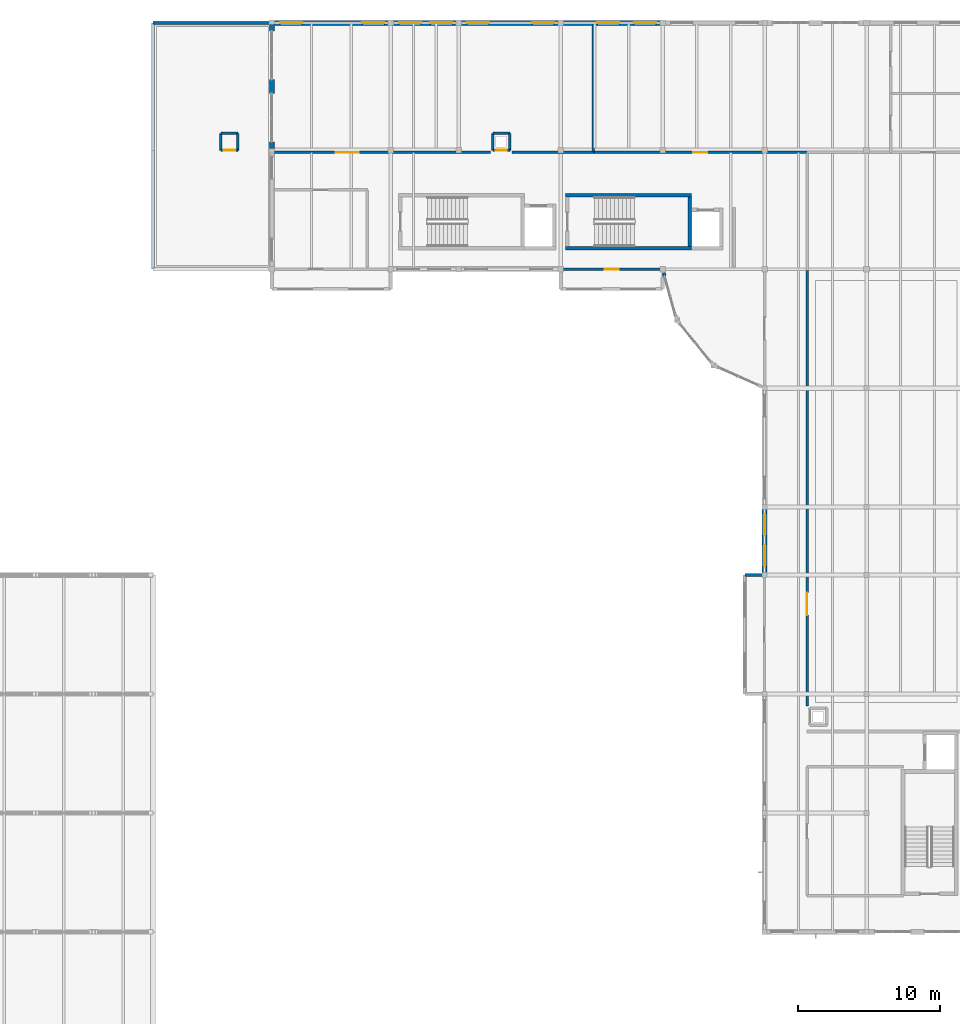
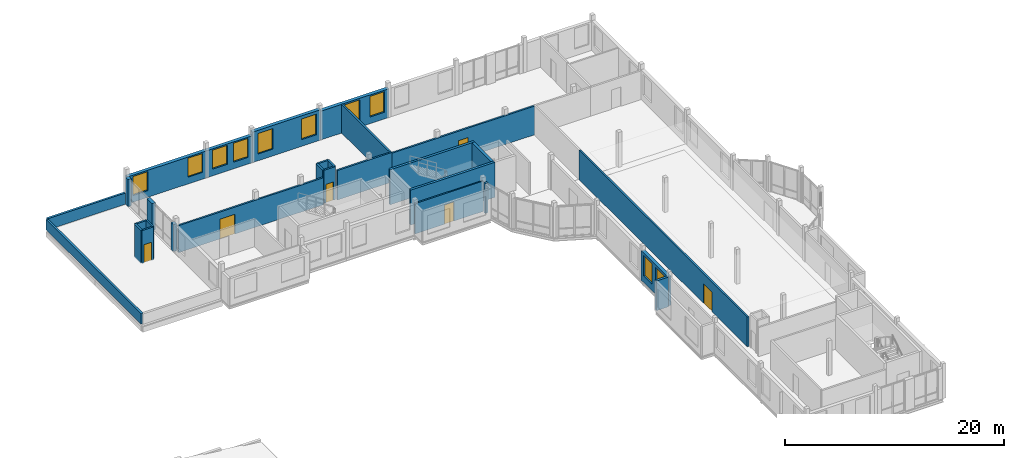
# One storey, part 28 of 34: 29 walls, 10 windows, 6 doors, 16 openings.
"""IFC4 building model written with IfcOpenShell, lengths in metres."""

from ifc_helpers import new_model, si_unit, direction, frame, frame_2d, origin, place, context, subcontext, project, spatial, rectangle, extrude, material, layer, layer_set, type_object, element, fill, save


model = new_model("IFC4")

# Units and contexts
model_context = context("Model", 3, precision=1e-05, world=origin(), true_north=direction((0.0, 1.0)))
body_context = subcontext(model_context, "Body", "Model", "MODEL_VIEW")
ifc_project = project(units=[si_unit("LENGTHUNIT", "METRE"), si_unit("AREAUNIT", "SQUARE_METRE"), si_unit("VOLUMEUNIT", "CUBIC_METRE"), si_unit("PLANEANGLEUNIT", "RADIAN"), si_unit("MASSUNIT", "GRAM", prefix="KILO")], contexts=[model_context])

# Site, building, storey
site_placement = place(None, origin())
site = spatial("IfcSite", under=ifc_project, at=site_placement, CompositionType="ELEMENT")
building_placement = place(site_placement, origin())
building = spatial("IfcBuilding", under=site, at=building_placement, Name="Kahlenmark Community Centre", CompositionType="ELEMENT")
storey_placement = place(building_placement, frame((0.0, 0.0, 17.699951171875)))
storey = spatial("IfcBuildingStorey", under=building, at=storey_placement, Name="L04", CompositionType="ELEMENT", Elevation=17.699951171875)

# Walls
ifc_material_1 = material(Name="Concrete C35/45", Category="concrete")
ifc_layer_1 = layer(ifc_material_1, 0.25)
ifc_layer_set_1 = layer_set([ifc_layer_1], Name="Concrete C35/45")
wall_type_1 = type_object("IfcWallType", Name="WT-CORE-250", PredefinedType="SHEAR", material=ifc_layer_set_1)
for number, where, z_axis, x_axis, name in (
    (1, (58.35009765625, 99.074951171875, 0.0), (0.0, 0.0, 1.0), (1.0, 0.0, 0.0), "Core K5 shear wall WL-CORE-K5-L04-0184"),
    (2, (58.35009765625, 102.824951171875, 0.0), (0.0, 0.0, 1.0), (1.0, 0.0, 0.0), "Core K5 shear wall WL-CORE-K5-L04-0185"),
):
    element("IfcWall", number, at=place(storey_placement, frame(where, z_axis=z_axis, x_axis=x_axis)), inside=storey, type_object=wall_type_1, Name=name, PredefinedType="SHEAR", context=body_context, shape_type="SweptSolid", body=[
        extrude(rectangle(XDim=8.89990234375, YDim=0.25, at=frame_2d((4.449951171875, 0.0))), origin(), (0.0, 0.0, 1.0), 3.900146484375),
    ])
wall_1_placement = place(storey_placement, frame((67.125, 99.199951171875, 0.0), z_axis=(0.0, 0.0, 1.0), x_axis=(0.0, 1.0, 0.0)))
element("IfcWall", 3, at=wall_1_placement, inside=storey, type_object=wall_type_1, Name="Core K5 shear wall WL-CORE-K5-L04-0186", PredefinedType="SHEAR", context=body_context, shape_type="SweptSolid", body=[
    extrude(rectangle(XDim=3.5, YDim=0.25, at=frame_2d((1.75, 0.0))), origin(), (0.0, 0.0, 1.0), 3.900146484375),
])
ifc_material_2 = material(Name="Cross-laminated timber CLT C24", Category="wood")
ifc_layer_2 = layer(ifc_material_2, 0.239990234375)
ifc_layer_set_2 = layer_set([ifc_layer_2], Name="Cross-laminated timber CLT C24")
wall_type_2 = type_object("IfcWallType", Name="WT-EW-240", PredefinedType="SOLIDWALL", material=ifc_layer_set_2)
wall_2_placement = place(storey_placement, frame((65.27490234375, 97.330078125, 0.0), z_axis=(0.0, 0.0, 1.0), x_axis=(0.267529355044, -0.963549710285, 0.0)))
element("IfcWall", 4, at=wall_2_placement, inside=storey, type_object=wall_type_2, Name="Rotunda pier closure 0792", PredefinedType="SOLIDWALL", context=body_context, shape_type="SweptSolid", body=[
    extrude(rectangle(XDim=0.219970703125, YDim=0.239990234375, at=frame_2d((0.10986328125, 0.0))), origin(), (0.0, 0.0, 1.0), 3.39013671875),
])
wall_3_placement = place(storey_placement, frame((71.0, 76.0, 0.0), z_axis=(0.0, 0.0, 1.0), x_axis=(1.0, 0.0, 0.0)))
element("IfcWall", 5, at=wall_3_placement, inside=storey, type_object=wall_type_2, Name="Bay oriel wall WL-ORI-L04-0855", PredefinedType="SOLIDWALL", context=body_context, shape_type="SweptSolid", body=[
    extrude(rectangle(XDim=1.25, YDim=0.239990234375, at=frame_2d((0.625, 0.0))), origin(), (0.0, 0.0, 1.0), 3.320068359375),
])

# Wall, openings, windows
ifc_material_3 = material(Name="Danube limestone masonry", Category="masonry")
ifc_layer_3 = layer(ifc_material_3, 0.360107421875)
ifc_layer_set_3 = layer_set([ifc_layer_3], Name="Danube limestone masonry")
wall_type_3 = type_object("IfcWallType", Name="WT-EW-360", PredefinedType="SOLIDWALL", material=ifc_layer_set_3)
wall_4_placement = place(storey_placement, frame((46.0, 115.0, 0.0), z_axis=(0.0, 0.0, 1.0), x_axis=(-1.0, 0.0, 0.0)))
wall_4 = element("IfcWall", 6, at=wall_4_placement, inside=storey, type_object=wall_type_3, Name="Exterior wall WL-EXT-L04-0641", PredefinedType="SOLIDWALL", context=body_context, shape_type="SweptSolid", body=[
    extrude(rectangle(XDim=8.39990234375, YDim=0.360107421875, at=frame_2d((4.199951171875, 0.0))), origin(), (0.0, 0.0, 1.0), 3.010009765625),
])
opening_1_placement = place(wall_4_placement, frame((0.4599609375, 0.0, 0.75)))
opening_1 = element("IfcOpeningElement", 7, at=opening_1_placement, cuts=wall_4, Name="Opening W-155X212", PredefinedType="OPENING", context=body_context, shape_type="SweptSolid", body=[
    extrude(rectangle(XDim=1.550048828125, YDim=2.1201171875, at=frame_2d((0.77490234375, 1.06005859375))), frame((0.0, 0.18994140625, 0.0), z_axis=(0.0, -1.0, 0.0), x_axis=(1.0, 0.0, 0.0)), (0.0, 0.0, 1.0), 0.380126953125),
])
opening_2_placement = place(wall_4_placement, frame((6.260009765625, 0.0, 0.75)))
opening_2 = element("IfcOpeningElement", 8, at=opening_2_placement, cuts=wall_4, Name="Opening W-155X212", PredefinedType="OPENING", context=body_context, shape_type="SweptSolid", body=[
    extrude(rectangle(XDim=1.550048828125, YDim=2.1201171875, at=frame_2d((0.77490234375, 1.06005859375))), frame((0.0, 0.18994140625, 0.0), z_axis=(0.0, -1.0, 0.0), x_axis=(1.0, 0.0, 0.0)), (0.0, 0.0, 1.0), 0.380126953125),
])
ifc_material_4 = material(Name="Deep-reveal limestone punched triple glazing", Category="masonry")
window_type_1 = type_object("IfcWindowType", Name="WNT-155X212", PartitioningType="DOUBLE_PANEL_HORIZONTAL", PredefinedType="WINDOW", material=ifc_material_4)
window_1_placement = place(opening_1_placement, origin())
window_1 = element("IfcWindow", 9, at=window_1_placement, inside=storey, type_object=window_type_1, Name="Window W-155X212 #0413", OverallHeight=2.1201171875, OverallWidth=1.550048828125, PartitioningType="DOUBLE_PANEL_HORIZONTAL", PredefinedType="WINDOW", context=body_context, shape_type="SweptSolid", body=[
    extrude(rectangle(XDim=1.550048828125, YDim=2.1201171875, at=frame_2d((0.77490234375, 1.06005859375))), frame((0.0, 0.030029296875, 0.0), z_axis=(0.0, -1.0, 0.0), x_axis=(1.0, 0.0, 0.0)), (0.0, 0.0, 1.0), 0.06005859375),
])
fill(opening_1, window_1)
window_2_placement = place(opening_2_placement, origin())
window_2 = element("IfcWindow", 10, at=window_2_placement, inside=storey, type_object=window_type_1, Name="Window W-155X212 #0414", OverallHeight=2.1201171875, OverallWidth=1.550048828125, PartitioningType="DOUBLE_PANEL_HORIZONTAL", PredefinedType="WINDOW", context=body_context, shape_type="SweptSolid", body=[
    extrude(rectangle(XDim=1.550048828125, YDim=2.1201171875, at=frame_2d((0.77490234375, 1.06005859375))), frame((0.0, 0.030029296875, 0.0), z_axis=(0.0, -1.0, 0.0), x_axis=(1.0, 0.0, 0.0)), (0.0, 0.0, 1.0), 0.06005859375),
])
fill(opening_2, window_2)

wall_5_placement = place(storey_placement, frame((50.800048828125, 115.0, 0.0), z_axis=(0.0, 0.0, 1.0), x_axis=(-1.0, 0.0, 0.0)))
wall_5 = element("IfcWall", 11, at=wall_5_placement, inside=storey, type_object=wall_type_3, Name="Exterior wall WL-EXT-L04-0642", PredefinedType="SOLIDWALL", context=body_context, shape_type="SweptSolid", body=[
    extrude(rectangle(XDim=4.800048828125, YDim=0.360107421875, at=frame_2d((2.39990234375, 0.0))), origin(), (0.0, 0.0, 1.0), 3.010009765625),
])
opening_3_placement = place(wall_5_placement, frame((0.4599609375, 0.0, 0.75)))
opening_3 = element("IfcOpeningElement", 12, at=opening_3_placement, cuts=wall_5, Name="Opening W-155X212", PredefinedType="OPENING", context=body_context, shape_type="SweptSolid", body=[
    extrude(rectangle(XDim=1.550048828125, YDim=2.1201171875, at=frame_2d((0.77490234375, 1.06005859375))), frame((0.0, 0.18994140625, 0.0), z_axis=(0.0, -1.0, 0.0), x_axis=(1.0, 0.0, 0.0)), (0.0, 0.0, 1.0), 0.380126953125),
])
opening_4_placement = place(wall_5_placement, frame((2.659912109375, 0.0, 0.75)))
opening_4 = element("IfcOpeningElement", 13, at=opening_4_placement, cuts=wall_5, Name="Opening W-155X212", PredefinedType="OPENING", context=body_context, shape_type="SweptSolid", body=[
    extrude(rectangle(XDim=1.550048828125, YDim=2.1201171875, at=frame_2d((0.77490234375, 1.06005859375))), frame((0.0, 0.18994140625, 0.0), z_axis=(0.0, -1.0, 0.0), x_axis=(1.0, 0.0, 0.0)), (0.0, 0.0, 1.0), 0.380126953125),
])
window_3_placement = place(opening_3_placement, origin())
window_3 = element("IfcWindow", 14, at=window_3_placement, inside=storey, type_object=window_type_1, Name="Window W-155X212 #0415", OverallHeight=2.1201171875, OverallWidth=1.550048828125, PartitioningType="DOUBLE_PANEL_HORIZONTAL", PredefinedType="WINDOW", context=body_context, shape_type="SweptSolid", body=[
    extrude(rectangle(XDim=1.550048828125, YDim=2.1201171875, at=frame_2d((0.77490234375, 1.06005859375))), frame((0.0, 0.030029296875, 0.0), z_axis=(0.0, -1.0, 0.0), x_axis=(1.0, 0.0, 0.0)), (0.0, 0.0, 1.0), 0.06005859375),
])
fill(opening_3, window_3)
window_4_placement = place(opening_4_placement, origin())
window_4 = element("IfcWindow", 15, at=window_4_placement, inside=storey, type_object=window_type_1, Name="Window W-155X212 #0416", OverallHeight=2.1201171875, OverallWidth=1.550048828125, PartitioningType="DOUBLE_PANEL_HORIZONTAL", PredefinedType="WINDOW", context=body_context, shape_type="SweptSolid", body=[
    extrude(rectangle(XDim=1.550048828125, YDim=2.1201171875, at=frame_2d((0.77490234375, 1.06005859375))), frame((0.0, 0.030029296875, 0.0), z_axis=(0.0, -1.0, 0.0), x_axis=(1.0, 0.0, 0.0)), (0.0, 0.0, 1.0), 0.06005859375),
])
fill(opening_4, window_4)

wall_6_placement = place(storey_placement, frame((58.0, 115.0, 0.0), z_axis=(0.0, 0.0, 1.0), x_axis=(-1.0, 0.0, 0.0)))
wall_6 = element("IfcWall", 16, at=wall_6_placement, inside=storey, type_object=wall_type_3, Name="Exterior wall WL-EXT-L04-0643", PredefinedType="SOLIDWALL", context=body_context, shape_type="SweptSolid", body=[
    extrude(rectangle(XDim=7.199951171875, YDim=0.360107421875, at=frame_2d((3.60009765625, 0.0))), origin(), (0.0, 0.0, 1.0), 3.400146484375),
])
opening_5_placement = place(wall_6_placement, frame((0.4599609375, 0.0, 0.75)))
opening_5 = element("IfcOpeningElement", 17, at=opening_5_placement, cuts=wall_6, Name="Opening W-155X230", PredefinedType="OPENING", context=body_context, shape_type="SweptSolid", body=[
    extrude(rectangle(XDim=1.550048828125, YDim=2.300048828125, at=frame_2d((0.77490234375, 1.14990234375))), frame((0.0, 0.18994140625, 0.0), z_axis=(0.0, -1.0, 0.0), x_axis=(1.0, 0.0, 0.0)), (0.0, 0.0, 1.0), 0.380126953125),
])
opening_6_placement = place(wall_6_placement, frame((5.06005859375, 0.0, 0.75)))
opening_6 = element("IfcOpeningElement", 18, at=opening_6_placement, cuts=wall_6, Name="Opening W-155X230", PredefinedType="OPENING", context=body_context, shape_type="SweptSolid", body=[
    extrude(rectangle(XDim=1.550048828125, YDim=2.300048828125, at=frame_2d((0.77490234375, 1.14990234375))), frame((0.0, 0.18994140625, 0.0), z_axis=(0.0, -1.0, 0.0), x_axis=(1.0, 0.0, 0.0)), (0.0, 0.0, 1.0), 0.380126953125),
])
window_type_2 = type_object("IfcWindowType", Name="WNT-155X230", PartitioningType="DOUBLE_PANEL_HORIZONTAL", PredefinedType="WINDOW", material=ifc_material_4)
window_5_placement = place(opening_5_placement, origin())
window_5 = element("IfcWindow", 19, at=window_5_placement, inside=storey, type_object=window_type_2, Name="Window W-155X230 #0417", OverallHeight=2.300048828125, OverallWidth=1.550048828125, PartitioningType="DOUBLE_PANEL_HORIZONTAL", PredefinedType="WINDOW", context=body_context, shape_type="SweptSolid", body=[
    extrude(rectangle(XDim=1.550048828125, YDim=2.300048828125, at=frame_2d((0.77490234375, 1.14990234375))), frame((0.0, 0.030029296875, 0.0), z_axis=(0.0, -1.0, 0.0), x_axis=(1.0, 0.0, 0.0)), (0.0, 0.0, 1.0), 0.06005859375),
])
fill(opening_5, window_5)
window_6_placement = place(opening_6_placement, origin())
window_6 = element("IfcWindow", 20, at=window_6_placement, inside=storey, type_object=window_type_2, Name="Window W-155X230 #0418", OverallHeight=2.300048828125, OverallWidth=1.550048828125, PartitioningType="DOUBLE_PANEL_HORIZONTAL", PredefinedType="WINDOW", context=body_context, shape_type="SweptSolid", body=[
    extrude(rectangle(XDim=1.550048828125, YDim=2.300048828125, at=frame_2d((0.77490234375, 1.14990234375))), frame((0.0, 0.030029296875, 0.0), z_axis=(0.0, -1.0, 0.0), x_axis=(1.0, 0.0, 0.0)), (0.0, 0.0, 1.0), 0.06005859375),
])
fill(opening_6, window_6)

wall_7_placement = place(storey_placement, frame((65.199951171875, 115.0, 0.0), z_axis=(0.0, 0.0, 1.0), x_axis=(-1.0, 0.0, 0.0)))
wall_7 = element("IfcWall", 21, at=wall_7_placement, inside=storey, type_object=wall_type_3, Name="Exterior wall WL-EXT-L04-0644", PredefinedType="SOLIDWALL", context=body_context, shape_type="SweptSolid", body=[
    extrude(rectangle(XDim=7.199951171875, YDim=0.360107421875, at=frame_2d((3.60009765625, 0.0))), origin(), (0.0, 0.0, 1.0), 3.2099609375),
])
opening_7_placement = place(wall_7_placement, frame((0.4599609375, 0.0, 0.75)))
opening_7 = element("IfcOpeningElement", 22, at=opening_7_placement, cuts=wall_7, Name="Opening W-155X230", PredefinedType="OPENING", context=body_context, shape_type="SweptSolid", body=[
    extrude(rectangle(XDim=1.550048828125, YDim=2.300048828125, at=frame_2d((0.77490234375, 1.14990234375))), frame((0.0, 0.18994140625, 0.0), z_axis=(0.0, -1.0, 0.0), x_axis=(1.0, 0.0, 0.0)), (0.0, 0.0, 1.0), 0.380126953125),
])
opening_8_placement = place(wall_7_placement, frame((3.06005859375, 0.0, 0.75)))
opening_8 = element("IfcOpeningElement", 23, at=opening_8_placement, cuts=wall_7, Name="Opening W-155X230", PredefinedType="OPENING", context=body_context, shape_type="SweptSolid", body=[
    extrude(rectangle(XDim=1.550048828125, YDim=2.300048828125, at=frame_2d((0.77490234375, 1.14990234375))), frame((0.0, 0.18994140625, 0.0), z_axis=(0.0, -1.0, 0.0), x_axis=(1.0, 0.0, 0.0)), (0.0, 0.0, 1.0), 0.380126953125),
])
window_7_placement = place(opening_7_placement, origin())
window_7 = element("IfcWindow", 24, at=window_7_placement, inside=storey, type_object=window_type_2, Name="Window W-155X230 #0419", OverallHeight=2.300048828125, OverallWidth=1.550048828125, PartitioningType="DOUBLE_PANEL_HORIZONTAL", PredefinedType="WINDOW", context=body_context, shape_type="SweptSolid", body=[
    extrude(rectangle(XDim=1.550048828125, YDim=2.300048828125, at=frame_2d((0.77490234375, 1.14990234375))), frame((0.0, 0.030029296875, 0.0), z_axis=(0.0, -1.0, 0.0), x_axis=(1.0, 0.0, 0.0)), (0.0, 0.0, 1.0), 0.06005859375),
])
fill(opening_7, window_7)
window_8_placement = place(opening_8_placement, origin())
window_8 = element("IfcWindow", 25, at=window_8_placement, inside=storey, type_object=window_type_2, Name="Window W-155X230 #0420", OverallHeight=2.300048828125, OverallWidth=1.550048828125, PartitioningType="DOUBLE_PANEL_HORIZONTAL", PredefinedType="WINDOW", context=body_context, shape_type="SweptSolid", body=[
    extrude(rectangle(XDim=1.550048828125, YDim=2.300048828125, at=frame_2d((0.77490234375, 1.14990234375))), frame((0.0, 0.030029296875, 0.0), z_axis=(0.0, -1.0, 0.0), x_axis=(1.0, 0.0, 0.0)), (0.0, 0.0, 1.0), 0.06005859375),
])
fill(opening_8, window_8)

# Walls
wall_8_placement = place(storey_placement, frame((37.60009765625, 110.97998046875, 0.0), z_axis=(0.0, 0.0, 1.0), x_axis=(0.0, -1.0, 0.0)))
element("IfcWall", 26, at=wall_8_placement, inside=storey, type_object=wall_type_3, Name="Postmodern limestone pier 0651", PredefinedType="SOLIDWALL", context=body_context, shape_type="SweptSolid", body=[
    extrude(rectangle(XDim=0.9599609375, YDim=0.360107421875, at=frame_2d((0.47998046875, 0.0))), origin(), (0.0, 0.0, 1.0), 3.010009765625),
])
for number, where, z_axis, x_axis, name in (
    (27, (37.60009765625, 114.8701171875, 0.0), (0.0, 0.0, 1.0), (0.0, -1.0, 0.0), "Column closure pier 0652"),
    (28, (37.60009765625, 106.580078125, 0.0), (0.0, 0.0, 1.0), (0.0, -1.0, 0.0), "Column closure pier 0653"),
):
    element("IfcWall", number, at=place(storey_placement, frame(where, z_axis=z_axis, x_axis=x_axis)), inside=storey, type_object=wall_type_3, Name=name, PredefinedType="SOLIDWALL", context=body_context, shape_type="SweptSolid", body=[
        extrude(rectangle(XDim=0.4501953125, YDim=0.360107421875, at=frame_2d((0.22509765625, 0.0))), origin(), (0.0, 0.0, 1.0), 3.010009765625),
    ])

# Wall, openings, windows
wall_9_placement = place(storey_placement, frame((72.39990234375, 80.800048828125, 0.0), z_axis=(0.0, 0.0, 1.0), x_axis=(0.0, -1.0, 0.0)))
wall_9 = element("IfcWall", 29, at=wall_9_placement, inside=storey, type_object=wall_type_3, Name="Exterior wall WL-EXT-L04-0662", PredefinedType="SOLIDWALL", context=body_context, shape_type="SweptSolid", body=[
    extrude(rectangle(XDim=4.800048828125, YDim=0.360107421875, at=frame_2d((2.39990234375, 0.0))), origin(), (0.0, 0.0, 1.0), 3.320068359375),
])
opening_9_placement = place(wall_9_placement, frame((0.4599609375, 0.0, 0.75)))
opening_9 = element("IfcOpeningElement", 30, at=opening_9_placement, cuts=wall_9, Name="Opening W-155X230", PredefinedType="OPENING", context=body_context, shape_type="SweptSolid", body=[
    extrude(rectangle(XDim=1.550048828125, YDim=2.300048828125, at=frame_2d((0.77490234375, 1.14990234375))), frame((0.0, 0.18994140625, 0.0), z_axis=(0.0, -1.0, 0.0), x_axis=(1.0, 0.0, 0.0)), (0.0, 0.0, 1.0), 0.380126953125),
])
opening_10_placement = place(wall_9_placement, frame((2.659912109375, 0.0, 0.75)))
opening_10 = element("IfcOpeningElement", 31, at=opening_10_placement, cuts=wall_9, Name="Opening W-155X230", PredefinedType="OPENING", context=body_context, shape_type="SweptSolid", body=[
    extrude(rectangle(XDim=1.550048828125, YDim=2.300048828125, at=frame_2d((0.77490234375, 1.14990234375))), frame((0.0, 0.18994140625, 0.0), z_axis=(0.0, -1.0, 0.0), x_axis=(1.0, 0.0, 0.0)), (0.0, 0.0, 1.0), 0.380126953125),
])
window_9_placement = place(opening_9_placement, origin())
window_9 = element("IfcWindow", 32, at=window_9_placement, inside=storey, type_object=window_type_2, Name="Window W-155X230 #0437", OverallHeight=2.300048828125, OverallWidth=1.550048828125, PartitioningType="DOUBLE_PANEL_HORIZONTAL", PredefinedType="WINDOW", context=body_context, shape_type="SweptSolid", body=[
    extrude(rectangle(XDim=1.550048828125, YDim=2.300048828125, at=frame_2d((0.77490234375, 1.14990234375))), frame((0.0, 0.030029296875, 0.0), z_axis=(0.0, -1.0, 0.0), x_axis=(1.0, 0.0, 0.0)), (0.0, 0.0, 1.0), 0.06005859375),
])
fill(opening_9, window_9)
window_10_placement = place(opening_10_placement, origin())
window_10 = element("IfcWindow", 33, at=window_10_placement, inside=storey, type_object=window_type_2, Name="Window W-155X230 #0438", OverallHeight=2.300048828125, OverallWidth=1.550048828125, PartitioningType="DOUBLE_PANEL_HORIZONTAL", PredefinedType="WINDOW", context=body_context, shape_type="SweptSolid", body=[
    extrude(rectangle(XDim=1.550048828125, YDim=2.300048828125, at=frame_2d((0.77490234375, 1.14990234375))), frame((0.0, 0.030029296875, 0.0), z_axis=(0.0, -1.0, 0.0), x_axis=(1.0, 0.0, 0.0)), (0.0, 0.0, 1.0), 0.06005859375),
])
fill(opening_10, window_10)

# Walls
ifc_material_5 = material(Name="Concrete C30/37", Category="concrete")
ifc_layer_4 = layer(ifc_material_5, 0.219970703125)
ifc_layer_set_4 = layer_set([ifc_layer_4], Name="Concrete C30/37")
wall_type_4 = type_object("IfcWallType", Name="WT-PAR-220", PredefinedType="PARAPET", material=ifc_layer_set_4)
wall_10_placement = place(storey_placement, frame((29.199951171875, 115.0, 0.0), z_axis=(0.0, 0.0, 1.0), x_axis=(1.0, 0.0, 0.0)))
element("IfcWall", 34, at=wall_10_placement, inside=storey, type_object=wall_type_4, Name="Roof parapet 1053", PredefinedType="PARAPET", context=body_context, shape_type="SweptSolid", body=[
    extrude(rectangle(XDim=8.219970703125, YDim=0.219970703125, at=frame_2d((4.10986328125, 0.0))), origin(), (0.0, 0.0, 1.0), 1.25),
])
wall_11_placement = place(storey_placement, frame((29.199951171875, 97.60009765625, 0.0), z_axis=(0.0, 0.0, 1.0), x_axis=(0.0, 1.0, 0.0)))
element("IfcWall", 35, at=wall_11_placement, inside=storey, type_object=wall_type_4, Name="Roof parapet 1054", PredefinedType="PARAPET", context=body_context, shape_type="SweptSolid", body=[
    extrude(rectangle(XDim=17.39990234375, YDim=0.219970703125, at=frame_2d((8.699951171875, 0.0))), origin(), (0.0, 0.0, 1.0), 1.150146484375),
])

# Wall, opening, door
ifc_material_6 = material(Name="Gypsum plasterboard partition", Category="gypsum")
ifc_layer_5 = layer(ifc_material_6, 0.14990234375)
ifc_layer_set_5 = layer_set([ifc_layer_5], Name="Gypsum plasterboard partition")
wall_type_5 = type_object("IfcWallType", Name="WT-PW-150", PredefinedType="PARTITIONING", material=ifc_layer_set_5)
wall_12_placement = place(storey_placement, frame((58.0, 97.60009765625, 0.0), z_axis=(0.0, 0.0, 1.0), x_axis=(1.0, 0.0, 0.0)))
wall_12 = element("IfcWall", 36, at=wall_12_placement, inside=storey, type_object=wall_type_5, Name="Interior partition WL-INT-L04-0256", PredefinedType="PARTITIONING", context=body_context, shape_type="SweptSolid", body=[
    extrude(rectangle(XDim=7.199951171875, YDim=0.14990234375, at=frame_2d((3.60009765625, 0.0))), origin(), (0.0, 0.0, 1.0), 3.39013671875),
])
opening_11_placement = place(wall_12_placement, frame((3.10009765625, 0.0, -0.010009765625)))
opening_11 = element("IfcOpeningElement", 37, at=opening_11_placement, cuts=wall_12, Name="Opening D-L04-147", PredefinedType="OPENING", context=body_context, shape_type="SweptSolid", body=[
    extrude(rectangle(XDim=1.0, YDim=2.159912109375, at=frame_2d((0.5, 1.080078125))), frame((0.0, 0.0849609375, 0.0), z_axis=(0.0, -1.0, 0.0), x_axis=(1.0, 0.0, 0.0)), (0.0, 0.0, 1.0), 0.169921875),
])
ifc_material_7 = material(Name="Oak timber veneer door leaf", Category="wood")
door_type_1 = type_object("IfcDoorType", Name="DT-INT-100X215", OperationType="NOTDEFINED", PredefinedType="DOOR", material=ifc_material_7)
door_1_placement = place(opening_11_placement, frame((1.0, 0.0, 0.010009765625), z_axis=(0.0, 0.0, 1.0), x_axis=(-1.0, 0.0, 0.0)))
door_1 = element("IfcDoor", 38, at=door_1_placement, inside=storey, type_object=door_type_1, Name="Interior door D-L04-147", OperationType="SINGLE_SWING_RIGHT", OverallHeight=2.14990234375, OverallWidth=1.0, PredefinedType="DOOR", context=body_context, shape_type="SweptSolid", body=[
    extrude(rectangle(XDim=1.0, YDim=2.14990234375, at=frame_2d((0.5, 1.074951171875))), frame((0.0, 0.02490234375, 0.0), z_axis=(0.0, -1.0, 0.0), x_axis=(1.0, 0.0, 0.0)), (0.0, 0.0, 1.0), 0.050048828125),
])
fill(opening_11, door_1)

ifc_layer_6 = layer(ifc_material_6, 0.179931640625)
ifc_layer_set_6 = layer_set([ifc_layer_6], Name="Gypsum plasterboard partition")
wall_type_6 = type_object("IfcWallType", Name="WT-PW-180", PredefinedType="PARTITIONING", material=ifc_layer_set_6)
wall_13_placement = place(storey_placement, frame((37.739990234375, 105.85009765625, 0.0), z_axis=(0.0, 0.0, 1.0), x_axis=(1.0, 0.0, 0.0)))
wall_13 = element("IfcWall", 39, at=wall_13_placement, inside=storey, type_object=wall_type_6, Name="Interior partition WL-INT-L04-0259", PredefinedType="PARTITIONING", context=body_context, shape_type="SweptSolid", body=[
    extrude(rectangle(XDim=15.31005859375, YDim=0.179931640625, at=frame_2d((7.655029296875, 0.0))), origin(), (0.0, 0.0, 1.0), 3.010009765625),
])
opening_12_placement = place(wall_13_placement, frame((4.386962890625, 0.0, -0.010009765625)))
opening_12 = element("IfcOpeningElement", 40, at=opening_12_placement, cuts=wall_13, Name="Opening D-L04-149", PredefinedType="OPENING", context=body_context, shape_type="SweptSolid", body=[
    extrude(rectangle(XDim=1.60009765625, YDim=2.2099609375, at=frame_2d((0.800048828125, 1.10498046875))), frame((0.0, 0.099853515625, 0.0), z_axis=(0.0, -1.0, 0.0), x_axis=(1.0, 0.0, 0.0)), (0.0, 0.0, 1.0), 0.199951171875),
])
ifc_material_8 = material(Name="Oak double-leaf acoustic door")
door_type_2 = type_object("IfcDoorType", Name="DT-DBL-160X220", OperationType="NOTDEFINED", PredefinedType="DOOR", material=ifc_material_8)
door_2_placement = place(opening_12_placement, frame((0.0, 0.0, 0.010009765625)))
door_2 = element("IfcDoor", 41, at=door_2_placement, inside=storey, type_object=door_type_2, Name="Interior door D-L04-149", OperationType="DOUBLE_SWING_LEFT", OverallHeight=2.199951171875, OverallWidth=1.60009765625, PredefinedType="DOOR", context=body_context, shape_type="SweptSolid", body=[
    extrude(rectangle(XDim=1.60009765625, YDim=2.199951171875, at=frame_2d((0.800048828125, 1.10009765625))), frame((0.0, 0.02490234375, 0.0), z_axis=(0.0, -1.0, 0.0), x_axis=(1.0, 0.0, 0.0)), (0.0, 0.0, 1.0), 0.050048828125),
])
fill(opening_12, door_2)

# Wall
wall_14_placement = place(storey_placement, frame((54.550048828125, 105.85009765625, 0.0), z_axis=(0.0, 0.0, 1.0), x_axis=(1.0, 0.0, 0.0)))
element("IfcWall", 42, at=wall_14_placement, inside=storey, type_object=wall_type_6, Name="Interior partition WL-INT-L04-0260", PredefinedType="PARTITIONING", context=body_context, shape_type="SweptSolid", body=[
    extrude(rectangle(XDim=5.75, YDim=0.179931640625, at=frame_2d((2.875, 0.0))), origin(), (0.0, 0.0, 1.0), 3.300048828125),
])

# Wall, opening, door
wall_15_placement = place(storey_placement, frame((60.300048828125, 105.85009765625, 0.0), z_axis=(0.0, 0.0, 1.0), x_axis=(1.0, 0.0, 0.0)))
wall_15 = element("IfcWall", 43, at=wall_15_placement, inside=storey, type_object=wall_type_6, Name="Interior partition WL-INT-L04-0261", PredefinedType="PARTITIONING", context=body_context, shape_type="SweptSolid", body=[
    extrude(rectangle(XDim=15.099853515625, YDim=0.179931640625, at=frame_2d((7.5498046875, 0.0))), origin(), (0.0, 0.0, 1.0), 3.2099609375),
])
opening_13_placement = place(wall_15_placement, frame((7.050048828125, 0.0, -0.010009765625)))
opening_13 = element("IfcOpeningElement", 44, at=opening_13_placement, cuts=wall_15, Name="Opening D-L04-150", PredefinedType="OPENING", context=body_context, shape_type="SweptSolid", body=[
    extrude(rectangle(XDim=1.0, YDim=2.159912109375, at=frame_2d((0.5, 1.080078125))), frame((0.0, 0.099853515625, 0.0), z_axis=(0.0, -1.0, 0.0), x_axis=(1.0, 0.0, 0.0)), (0.0, 0.0, 1.0), 0.199951171875),
])
door_3_placement = place(opening_13_placement, frame((1.0, 0.0, 0.010009765625), z_axis=(0.0, 0.0, 1.0), x_axis=(-1.0, 0.0, 0.0)))
door_3 = element("IfcDoor", 45, at=door_3_placement, inside=storey, type_object=door_type_1, Name="Interior door D-L04-150", OperationType="SINGLE_SWING_LEFT", OverallHeight=2.14990234375, OverallWidth=1.0, PredefinedType="DOOR", context=body_context, shape_type="SweptSolid", body=[
    extrude(rectangle(XDim=1.0, YDim=2.14990234375, at=frame_2d((0.5, 1.074951171875))), frame((0.0, 0.02490234375, 0.0), z_axis=(0.0, -1.0, 0.0), x_axis=(1.0, 0.0, 0.0)), (0.0, 0.0, 1.0), 0.050048828125),
])
fill(opening_13, door_3)

# Wall
wall_16_placement = place(storey_placement, frame((60.300048828125, 105.85009765625, 0.0), z_axis=(0.0, 0.0, 1.0), x_axis=(0.0, 1.0, 0.0)))
element("IfcWall", 46, at=wall_16_placement, inside=storey, type_object=wall_type_6, Name="Interior partition WL-INT-L04-0264", PredefinedType="PARTITIONING", context=body_context, shape_type="SweptSolid", body=[
    extrude(rectangle(XDim=9.010009765625, YDim=0.179931640625, at=frame_2d((4.5048828125, 0.0))), origin(), (0.0, 0.0, 1.0), 3.2099609375),
])

# Wall, opening, door
wall_17_placement = place(storey_placement, frame((75.39990234375, 66.75, 0.0), z_axis=(0.0, 0.0, 1.0), x_axis=(0.0, 1.0, 0.0)))
wall_17 = element("IfcWall", 47, at=wall_17_placement, inside=storey, type_object=wall_type_6, Name="Interior partition WL-INT-L04-0272", PredefinedType="PARTITIONING", context=body_context, shape_type="SweptSolid", body=[
    extrude(rectangle(XDim=30.75, YDim=0.179931640625, at=frame_2d((15.375, 0.0))), origin(), (0.0, 0.0, 1.0), 3.320068359375),
])
opening_14_placement = place(wall_17_placement, frame((6.4130859375, 0.0, -0.010009765625)))
opening_14 = element("IfcOpeningElement", 48, at=opening_14_placement, cuts=wall_17, Name="Opening D-L04-155", PredefinedType="OPENING", context=body_context, shape_type="SweptSolid", body=[
    extrude(rectangle(XDim=1.60009765625, YDim=2.2099609375, at=frame_2d((0.800048828125, 1.10498046875))), frame((0.0, 0.099853515625, 0.0), z_axis=(0.0, -1.0, 0.0), x_axis=(1.0, 0.0, 0.0)), (0.0, 0.0, 1.0), 0.199951171875),
])
door_4_placement = place(opening_14_placement, frame((0.0, 0.0, 0.010009765625)))
door_4 = element("IfcDoor", 49, at=door_4_placement, inside=storey, type_object=door_type_2, Name="Interior door D-L04-155", OperationType="DOUBLE_SWING_LEFT", OverallHeight=2.199951171875, OverallWidth=1.60009765625, PredefinedType="DOOR", context=body_context, shape_type="SweptSolid", body=[
    extrude(rectangle(XDim=1.60009765625, YDim=2.199951171875, at=frame_2d((0.800048828125, 1.10009765625))), frame((0.0, 0.02490234375, 0.0), z_axis=(0.0, -1.0, 0.0), x_axis=(1.0, 0.0, 0.0)), (0.0, 0.0, 1.0), 0.050048828125),
])
fill(opening_14, door_4)

ifc_material_9 = material(Name="Masonry blockwork", Category="masonry")
ifc_layer_7 = layer(ifc_material_9, 0.179931640625)
ifc_layer_set_7 = layer_set([ifc_layer_7], Name="Masonry blockwork")
wall_type_7 = type_object("IfcWallType", Name="WT-RISER-180", PredefinedType="SOLIDWALL", material=ifc_layer_set_7)
wall_18_placement = place(storey_placement, frame((34.0, 106.0, 0.0), z_axis=(0.0, 0.0, 1.0), x_axis=(1.0, 0.0, 0.0)))
wall_18 = element("IfcWall", 50, at=wall_18_placement, inside=storey, type_object=wall_type_7, Name="Riser RS-06 shaft wall L04.1", PredefinedType="SOLIDWALL", context=body_context, shape_type="SweptSolid", body=[
    extrude(rectangle(XDim=1.199951171875, YDim=0.179931640625, at=frame_2d((0.60009765625, 0.0))), origin(), (0.0, 0.0, 1.0), 3.68994140625),
])
opening_15_placement = place(wall_18_placement, frame((0.199951171875, 0.0, -0.010009765625)))
opening_15 = element("IfcOpeningElement", 51, at=opening_15_placement, cuts=wall_18, Name="Opening FD-RS80", PredefinedType="OPENING", context=body_context, shape_type="SweptSolid", body=[
    extrude(rectangle(XDim=0.800048828125, YDim=2.06005859375, at=frame_2d((0.39990234375, 1.030029296875))), frame((0.0, 0.099853515625, 0.0), z_axis=(0.0, -1.0, 0.0), x_axis=(1.0, 0.0, 0.0)), (0.0, 0.0, 1.0), 0.199951171875),
])
ifc_material_10 = material(Name="Fire-rated steel service riser door FD60S", Category="steel")
door_type_3 = type_object("IfcDoorType", Name="DT-RISER-80X205", OperationType="NOTDEFINED", PredefinedType="DOOR", material=ifc_material_10)
door_5_placement = place(opening_15_placement, frame((0.0, 0.0, 0.010009765625)))
door_5 = element("IfcDoor", 52, at=door_5_placement, inside=storey, type_object=door_type_3, Name="Riser RS-06 access door L04", OperationType="SINGLE_SWING_LEFT", OverallHeight=2.050048828125, OverallWidth=0.800048828125, PredefinedType="DOOR", context=body_context, shape_type="SweptSolid", body=[
    extrude(rectangle(XDim=0.800048828125, YDim=2.050048828125, at=frame_2d((0.39990234375, 1.02490234375))), frame((0.0, 0.02490234375, 0.0), z_axis=(0.0, -1.0, 0.0), x_axis=(1.0, 0.0, 0.0)), (0.0, 0.0, 1.0), 0.050048828125),
])
fill(opening_15, door_5)

# Walls
for number, where, z_axis, x_axis, name in (
    (53, (35.199951171875, 106.0, 0.0), (0.0, 0.0, 1.0), (0.0, 1.0, 0.0), "Riser RS-06 shaft wall L04.2"),
    (54, (35.199951171875, 107.199951171875, 0.0), (0.0, 0.0, 1.0), (-1.0, 0.0, 0.0), "Riser RS-06 shaft wall L04.3"),
    (55, (34.0, 107.199951171875, 0.0), (0.0, 0.0, 1.0), (0.0, -1.0, 0.0), "Riser RS-06 shaft wall L04.4"),
):
    element("IfcWall", number, at=place(storey_placement, frame(where, z_axis=z_axis, x_axis=x_axis)), inside=storey, type_object=wall_type_7, Name=name, PredefinedType="SOLIDWALL", context=body_context, shape_type="SweptSolid", body=[
        extrude(rectangle(XDim=1.199951171875, YDim=0.179931640625, at=frame_2d((0.60009765625, 0.0))), origin(), (0.0, 0.0, 1.0), 3.68994140625),
    ])

# Wall, opening, door
wall_19_placement = place(storey_placement, frame((53.199951171875, 106.0, 0.0), z_axis=(0.0, 0.0, 1.0), x_axis=(1.0, 0.0, 0.0)))
wall_19 = element("IfcWall", 56, at=wall_19_placement, inside=storey, type_object=wall_type_7, Name="Riser RS-07 shaft wall L04.1", PredefinedType="SOLIDWALL", context=body_context, shape_type="SweptSolid", body=[
    extrude(rectangle(XDim=1.199951171875, YDim=0.179931640625, at=frame_2d((0.60009765625, 0.0))), origin(), (0.0, 0.0, 1.0), 3.68994140625),
])
opening_16_placement = place(wall_19_placement, frame((0.199951171875, 0.0, -0.010009765625)))
opening_16 = element("IfcOpeningElement", 57, at=opening_16_placement, cuts=wall_19, Name="Opening FD-RS80", PredefinedType="OPENING", context=body_context, shape_type="SweptSolid", body=[
    extrude(rectangle(XDim=0.800048828125, YDim=2.06005859375, at=frame_2d((0.39990234375, 1.030029296875))), frame((0.0, 0.099853515625, 0.0), z_axis=(0.0, -1.0, 0.0), x_axis=(1.0, 0.0, 0.0)), (0.0, 0.0, 1.0), 0.199951171875),
])
door_6_placement = place(opening_16_placement, frame((0.0, 0.0, 0.010009765625)))
door_6 = element("IfcDoor", 58, at=door_6_placement, inside=storey, type_object=door_type_3, Name="Riser RS-07 access door L04", OperationType="SINGLE_SWING_RIGHT", OverallHeight=2.050048828125, OverallWidth=0.800048828125, PredefinedType="DOOR", context=body_context, shape_type="SweptSolid", body=[
    extrude(rectangle(XDim=0.800048828125, YDim=2.050048828125, at=frame_2d((0.39990234375, 1.02490234375))), frame((0.0, 0.02490234375, 0.0), z_axis=(0.0, -1.0, 0.0), x_axis=(1.0, 0.0, 0.0)), (0.0, 0.0, 1.0), 0.050048828125),
])
fill(opening_16, door_6)

# Walls
for number, where, z_axis, x_axis, name in (
    (59, (54.39990234375, 106.0, 0.0), (0.0, 0.0, 1.0), (0.0, 1.0, 0.0), "Riser RS-07 shaft wall L04.2"),
    (60, (54.39990234375, 107.199951171875, 0.0), (0.0, 0.0, 1.0), (-1.0, 0.0, 0.0), "Riser RS-07 shaft wall L04.3"),
    (61, (53.199951171875, 107.199951171875, 0.0), (0.0, 0.0, 1.0), (0.0, -1.0, 0.0), "Riser RS-07 shaft wall L04.4"),
):
    element("IfcWall", number, at=place(storey_placement, frame(where, z_axis=z_axis, x_axis=x_axis)), inside=storey, type_object=wall_type_7, Name=name, PredefinedType="SOLIDWALL", context=body_context, shape_type="SweptSolid", body=[
        extrude(rectangle(XDim=1.199951171875, YDim=0.179931640625, at=frame_2d((0.60009765625, 0.0))), origin(), (0.0, 0.0, 1.0), 3.68994140625),
    ])

save(model, "model.ifc")
